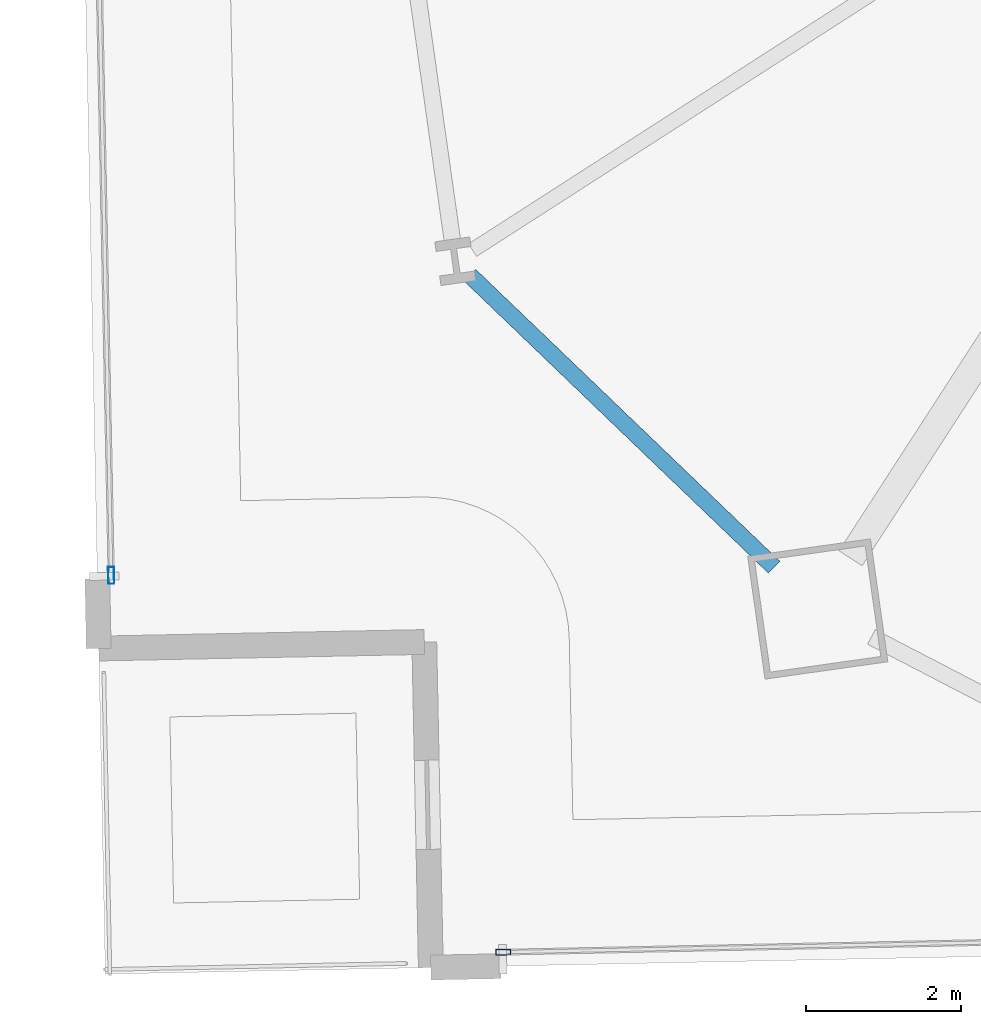
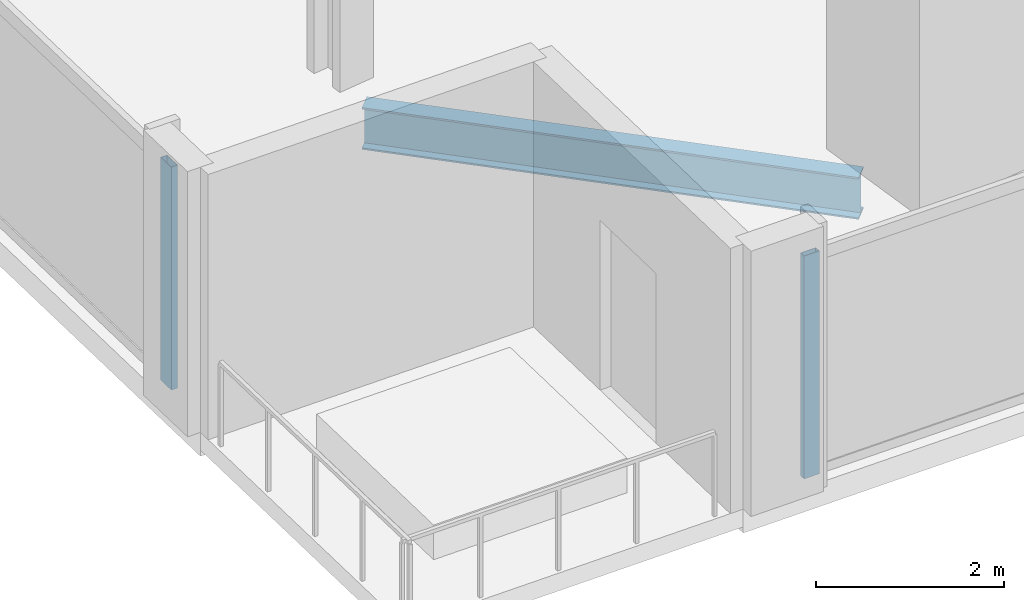
# One storey, part 2 of 35: 2 members, 1 beam, 2 elements without a shape of their own.
"""IFC4 building model written with IfcOpenShell, lengths in metres."""

from ifc_helpers import new_model, si_unit, direction, frame, origin, origin_2d, place, context, subcontext, project, spatial, hollow_rectangle, i_section, extrude, material, material_profile, profile_set, type_object, element, aggregate, save


model = new_model("IFC4")

# Units and contexts
model_context = context("Model", 3, precision=1e-05, world=origin(), true_north=direction((0.0, 1.0)))
body_context = subcontext(model_context, "Body", "Model", "MODEL_VIEW")
ifc_project = project(units=[si_unit("LENGTHUNIT", "METRE"), si_unit("AREAUNIT", "SQUARE_METRE"), si_unit("VOLUMEUNIT", "CUBIC_METRE"), si_unit("PLANEANGLEUNIT", "RADIAN"), si_unit("MASSUNIT", "GRAM", prefix="KILO")], contexts=[model_context])

# Site, building, storey
site_placement = place(None, origin())
site = spatial("IfcSite", under=ifc_project, at=site_placement, CompositionType="ELEMENT")
building_placement = place(site_placement, origin())
building = spatial("IfcBuilding", under=site, at=building_placement, Name="Haldenkirk Collegiate Tower", CompositionType="ELEMENT")
storey_placement = place(building_placement, frame((0.0, 0.0, 32.699951171875)))
storey = spatial("IfcBuildingStorey", under=building, at=storey_placement, Name="L06", CompositionType="ELEMENT", Elevation=32.699951171875)

# Beam
ifc_material_1 = material(Name="Steel ASTM A992 Grade 50", Category="steel")
ifc_material_profile_1 = material_profile(ifc_material_1, i_section(OverallWidth=0.2119140625, OverallDepth=0.5439453125, WebThickness=0.01318359375, FlangeThickness=0.021240234375, at=origin_2d()), Name="W21X83")
ifc_profile_set_1 = profile_set([ifc_material_profile_1], Name="Steel ASTM A992 Grade 50")
beam_type = type_object("IfcBeamType", Name="BM-SPANDREL-W21X83", PredefinedType="SPANDREL", material=ifc_profile_set_1)
beam_placement = place(storey_placement, frame((14.212890625, 9.47412109375, -0.58203125), z_axis=(0.721492362326, -0.692422393561, 0.0), x_axis=(0.692422393561, 0.721492362326, 0.0)))
element("IfcBeam", 1, at=beam_placement, inside=storey, type_object=beam_type, Name="L06 perimeter spandrel beam 16", PredefinedType="SPANDREL", context=body_context, shape_type="SweptSolid", body=[
    extrude(i_section(OverallWidth=0.2119140625, OverallDepth=0.5439453125, WebThickness=0.01318359375, FlangeThickness=0.021240234375, at=origin_2d()), origin(), (0.0, 0.0, 1.0), 5.433837890625),
])

# Curtain wall, member
ifc_material_2 = material(Name="Anodised architectural bronze aluminium", Category="aluminium")
curtain_wall_type_1 = type_object("IfcCurtainWallType", Name="CW-SYS2-CONCAVE", PredefinedType="USERDEFINED", material=ifc_material_2)
curtain_wall_1_placement = place(storey_placement, origin())
curtain_wall_1 = element("IfcCurtainWall", 2, at=curtain_wall_1_placement, inside=storey, type_object=curtain_wall_type_1, Name="L06 South concave recessed bronze-anodised curtain wall", ObjectType="UNITISED CURTAIN WALL", PredefinedType="USERDEFINED")
ifc_material_profile_2 = material_profile(ifc_material_2, hollow_rectangle(XDim=0.074951171875, YDim=0.18994140625, WallThickness=0.0048828125, at=origin_2d()), Name="CW-MUL-02")
ifc_profile_set_2 = profile_set([ifc_material_profile_2], Name="Anodised architectural bronze aluminium")
member_type_1 = type_object("IfcMemberType", Name="CW-MUL-02", PredefinedType="MULLION", material=ifc_profile_set_2)
member_1_placement = place(storey_placement, frame((14.639892578125, 0.746337890625, 0.0), z_axis=(0.0, 0.0, 1.0), x_axis=(0.020068437719, -0.999798608625, 0.0)))
member_1 = element("IfcMember", 3, at=member_1_placement, type_object=member_type_1, Name="CW-02 mullion 5", PredefinedType="MULLION", context=body_context, shape_type="SweptSolid", body=[
    extrude(hollow_rectangle(XDim=0.074951171875, YDim=0.18994140625, WallThickness=0.0048828125, at=origin_2d()), origin(), (0.0, 0.0, 1.0), 2.89111328125),
])
aggregate(curtain_wall_1, [member_1])

curtain_wall_type_2 = type_object("IfcCurtainWallType", Name="CW-SYS1-CONVEX-LOW", PredefinedType="USERDEFINED", material=ifc_material_2)
curtain_wall_2_placement = place(storey_placement, origin())
curtain_wall_2 = element("IfcCurtainWall", 4, at=curtain_wall_2_placement, inside=storey, type_object=curtain_wall_type_2, Name="L06 Lower tower convex bronze-framed unitised curtain wall", ObjectType="UNITISED CURTAIN WALL", PredefinedType="USERDEFINED")
ifc_material_profile_3 = material_profile(ifc_material_2, hollow_rectangle(XDim=0.080078125, YDim=0.219970703125, WallThickness=0.0048828125, at=origin_2d()), Name="CW-MUL-1A")
ifc_profile_set_3 = profile_set([ifc_material_profile_3], Name="Anodised architectural bronze aluminium")
member_type_2 = type_object("IfcMemberType", Name="CW-MUL-1A", PredefinedType="MULLION", material=ifc_profile_set_3)
member_2_placement = place(storey_placement, frame((9.583984375, 5.605712890625, 0.0), z_axis=(0.0, 0.0, 1.0), x_axis=(-0.999798604983, -0.020068619127, 0.0)))
member_2 = element("IfcMember", 5, at=member_2_placement, type_object=member_type_2, Name="CW-1A mullion 1", PredefinedType="MULLION", context=body_context, shape_type="SweptSolid", body=[
    extrude(hollow_rectangle(XDim=0.080078125, YDim=0.219970703125, WallThickness=0.0048828125, at=origin_2d()), origin(), (0.0, 0.0, 1.0), 2.89111328125),
])
aggregate(curtain_wall_2, [member_2])

save(model, "model.ifc")
